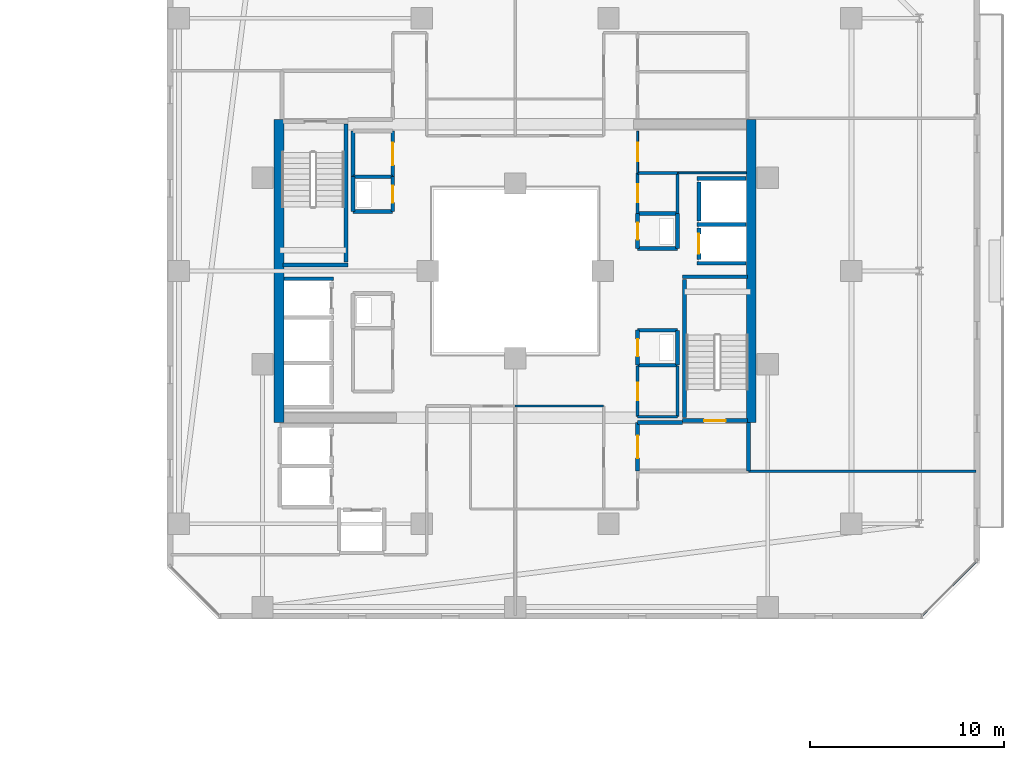
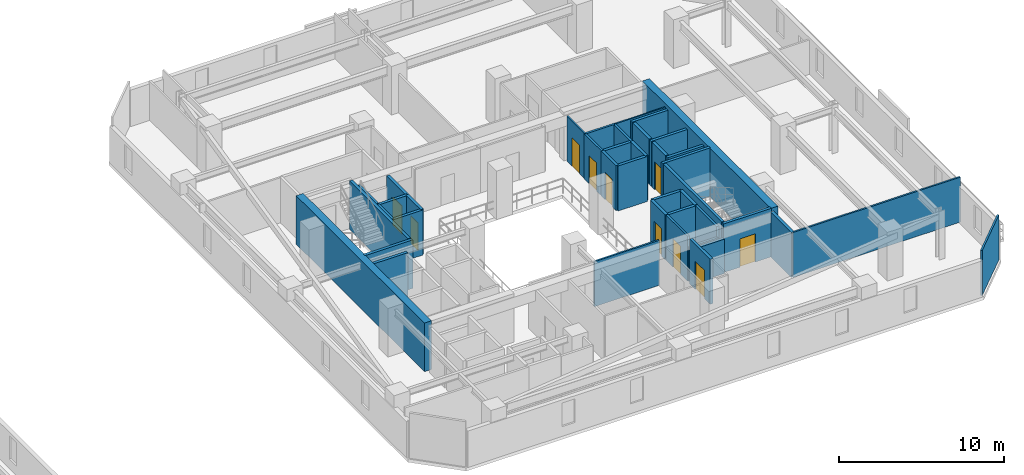
# One storey, part 24 of 33: 41 walls, 10 doors, 10 openings.
"""IFC4 building model written with IfcOpenShell, lengths in metres."""

from ifc_helpers import new_model, si_unit, direction, frame, frame_2d, origin, place, context, subcontext, project, spatial, rectangle, extrude, material, layer, layer_set, type_object, element, fill, save


model = new_model("IFC4")

# Units and contexts
model_context = context("Model", 3, precision=1e-05, world=origin(), true_north=direction((0.0, 1.0)))
body_context = subcontext(model_context, "Body", "Model", "MODEL_VIEW")
ifc_project = project(units=[si_unit("LENGTHUNIT", "METRE"), si_unit("AREAUNIT", "SQUARE_METRE"), si_unit("VOLUMEUNIT", "CUBIC_METRE"), si_unit("PLANEANGLEUNIT", "RADIAN"), si_unit("MASSUNIT", "GRAM", prefix="KILO")], contexts=[model_context])

# Site, building, storey
site_placement = place(None, origin())
site = spatial("IfcSite", under=ifc_project, at=site_placement, CompositionType="ELEMENT")
building_placement = place(site_placement, origin())
building = spatial("IfcBuilding", under=site, at=building_placement, Name="Thornwick Lancets Civic Towers", CompositionType="ELEMENT")
storey_placement = place(building_placement, frame((0.0, 0.0, 167.10009765625)))
storey = spatial("IfcBuildingStorey", under=building, at=storey_placement, Name="L44", CompositionType="ELEMENT", Elevation=167.10009765625)

# Wall, opening, door
ifc_material_1 = material(Name="Concrete blockwork C40/50", Category="masonry")
ifc_layer_1 = layer(ifc_material_1, 0.199951171875, Name="Concrete blockwork C40/50")
ifc_layer_set_1 = layer_set([ifc_layer_1], Name="Concrete blockwork C40/50")
wall_type_1 = type_object("IfcWallType", Name="WALL_COMP_200", PredefinedType="STANDARD", material=ifc_layer_set_1)
wall_1_placement = place(storey_placement, frame((97.949951171875, 29.219970703125, 0.0), z_axis=(0.0, 0.0, 1.0), x_axis=(0.0, -1.0, 0.0)))
wall_1 = element("IfcWall", 1, at=wall_1_placement, inside=storey, type_object=wall_type_1, Name="L44 Hoistway Front Wall FL-B1", PredefinedType="STANDARD", context=body_context, shape_type="SweptSolid", body=[
    extrude(rectangle(XDim=1.639892578125, YDim=0.199951171875, at=frame_2d((0.81982421875, 0.0))), origin(), (0.0, 0.0, 1.0), 3.33984375),
])
opening_1_placement = place(wall_1_placement, frame((0.31005859375, 0.0, 0.0)))
opening_1 = element("IfcOpeningElement", 2, at=opening_1_placement, cuts=wall_1, Name="Opening LD-FL-B1", PredefinedType="OPENING", context=body_context, shape_type="SweptSolid", body=[
    extrude(rectangle(XDim=1.02001953125, YDim=2.06005859375, at=frame_2d((0.510009765625, 1.030029296875))), frame((0.0, 0.10986328125, 0.0), z_axis=(0.0, -1.0, 0.0), x_axis=(1.0, 0.0, 0.0)), (0.0, 0.0, 1.0), 0.219970703125),
])
ifc_material_2 = material(Name="Brushed bronze stainless steel", Category="steel")
door_type_1 = type_object("IfcDoorType", Name="DOOR_LIFT_SLIDE", OperationType="SLIDING_TO_LEFT", PredefinedType="DOOR", material=ifc_material_2)
door_1_placement = place(opening_1_placement, origin())
door_1 = element("IfcDoor", 3, at=door_1_placement, inside=storey, type_object=door_type_1, Name="L44 Sliding Lift Landing Door LD-FL-B1", OperationType="SLIDING_TO_LEFT", OverallHeight=2.06005859375, OverallWidth=1.02001953125, PredefinedType="DOOR", context=body_context, shape_type="SweptSolid", body=[
    extrude(rectangle(XDim=1.02001953125, YDim=2.06005859375, at=frame_2d((0.510009765625, 1.030029296875))), frame((0.0, 0.02490234375, 0.0), z_axis=(0.0, -1.0, 0.0), x_axis=(1.0, 0.0, 0.0)), (0.0, 0.0, 1.0), 0.050048828125),
])
fill(opening_1, door_1)

# Walls
wall_2_placement = place(storey_placement, frame((97.949951171875, 31.570068359375, 0.0), z_axis=(0.0, 0.0, 1.0), x_axis=(0.0, -1.0, 0.0)))
element("IfcWall", 4, at=wall_2_placement, inside=storey, type_object=wall_type_1, Name="L44 Hoistway Front Wall PL-BH1", PredefinedType="STANDARD", context=body_context, shape_type="SweptSolid", body=[
    extrude(rectangle(XDim=1.989990234375, YDim=0.199951171875, at=frame_2d((0.9951171875, 0.0))), origin(), (0.0, 0.0, 1.0), 3.33984375),
])
for number, where, z_axis, x_axis, name in (
    (5, (97.85205078125, 29.39990234375, 0.0), (0.0, 0.0, 1.0), (1.0, 0.0, 0.0), "L44 Hoistway Shaft Wall FL-B1 N"),
    (6, (97.85205078125, 27.39990234375, 0.0), (0.0, 0.0, 1.0), (1.0, 0.0, 0.0), "L44 Hoistway Shaft Wall FL-B1 S"),
    (7, (97.85205078125, 31.75, 0.0), (0.0, 0.0, 1.0), (1.0, 0.0, 0.0), "L44 Hoistway Shaft Wall PL-BH1 N"),
    (8, (76.612060546875, 26.60009765625, 0.0), (0.0, 0.0, 1.0), (1.0, 0.0, 0.0), "L44 Hoistway Shaft Wall FL-B2 N"),
):
    element("IfcWall", number, at=place(storey_placement, frame(where, z_axis=z_axis, x_axis=x_axis)), inside=storey, type_object=wall_type_1, Name=name, PredefinedType="STANDARD", context=body_context, shape_type="SweptSolid", body=[
        extrude(rectangle(XDim=2.535888671875, YDim=0.199951171875, at=frame_2d((1.26806640625, 0.0))), origin(), (0.0, 0.0, 1.0), 3.33984375),
    ])
wall_3_placement = place(storey_placement, frame((100.5, 16.699951171875, 0.0), z_axis=(0.0, 0.0, 1.0), x_axis=(0.0, 1.0, 0.0)))
element("IfcWall", 9, at=wall_3_placement, inside=storey, type_object=wall_type_1, Name="L44 Partition L44-B-FFLOB1 E2", PredefinedType="STANDARD", context=body_context, shape_type="SweptSolid", body=[
    extrude(rectangle(XDim=2.5, YDim=0.199951171875, at=frame_2d((1.25, 0.0))), origin(), (0.0, 0.0, 1.0), 3.33984375),
])
wall_4_placement = place(storey_placement, frame((97.10009765625, 19.199951171875, 0.0), z_axis=(0.0, 0.0, 1.0), x_axis=(-1.0, 0.0, 0.0)))
element("IfcWall", 10, at=wall_4_placement, inside=storey, type_object=wall_type_1, Name="L44 Partition L44-B-FFLOB1 E3", PredefinedType="STANDARD", context=body_context, shape_type="SweptSolid", body=[
    extrude(rectangle(XDim=2.300048828125, YDim=0.199951171875, at=frame_2d((1.14990234375, 0.0))), origin(), (0.0, 0.0, 1.0), 2.544921875),
])

# Wall, opening, door
wall_5_placement = place(storey_placement, frame((94.800048828125, 19.199951171875, 0.0), z_axis=(0.0, 0.0, 1.0), x_axis=(0.0, -1.0, 0.0)))
wall_5 = element("IfcWall", 11, at=wall_5_placement, inside=storey, type_object=wall_type_1, Name="L44 Partition L44-B-FFLOB1 E4", PredefinedType="STANDARD", context=body_context, shape_type="SweptSolid", body=[
    extrude(rectangle(XDim=2.5, YDim=0.199951171875, at=frame_2d((1.25, 0.0))), origin(), (0.0, 0.0, 1.0), 3.33984375),
])
opening_2_placement = place(wall_5_placement, frame((0.675048828125, 0.0, 0.0)))
opening_2 = element("IfcOpeningElement", 12, at=opening_2_placement, cuts=wall_5, Name="Opening D-L44-1968", PredefinedType="OPENING", context=body_context, shape_type="SweptSolid", body=[
    extrude(rectangle(XDim=1.14990234375, YDim=2.10009765625, at=frame_2d((0.574951171875, 1.050048828125))), frame((0.0, 0.10986328125, 0.0), z_axis=(0.0, -1.0, 0.0), x_axis=(1.0, 0.0, 0.0)), (0.0, 0.0, 1.0), 0.219970703125),
])
ifc_material_3 = material(Name="Glazed fire-resisting steel", Category="steel")
door_type_2 = type_object("IfcDoorType", Name="DOOR_LOBBY_FD60", OperationType="NOTDEFINED", PredefinedType="DOOR", material=ifc_material_3)
door_2_placement = place(opening_2_placement, origin())
door_2 = element("IfcDoor", 13, at=door_2_placement, inside=storey, type_object=door_type_2, Name="L44 East Firefighting Lobby 1 Door", OperationType="SINGLE_SWING_LEFT", OverallHeight=2.10009765625, OverallWidth=1.14990234375, PredefinedType="DOOR", context=body_context, shape_type="SweptSolid", body=[
    extrude(rectangle(XDim=1.14990234375, YDim=2.10009765625, at=frame_2d((0.574951171875, 1.050048828125))), frame((0.0, 0.02490234375, 0.0), z_axis=(0.0, -1.0, 0.0), x_axis=(1.0, 0.0, 0.0)), (0.0, 0.0, 1.0), 0.050048828125),
])
fill(opening_2, door_2)

# Walls
wall_6_placement = place(storey_placement, frame((94.800048828125, 28.14990234375, 0.0), z_axis=(0.0, 0.0, 1.0), x_axis=(1.0, 0.0, 0.0)))
element("IfcWall", 14, at=wall_6_placement, inside=storey, type_object=wall_type_1, Name="L44 Partition L44-B-DUCT1 E1", PredefinedType="STANDARD", context=body_context, shape_type="SweptSolid", body=[
    extrude(rectangle(XDim=2.050048828125, YDim=0.199951171875, at=frame_2d((1.02490234375, 0.0))), origin(), (0.0, 0.0, 1.0), 3.33984375),
])
wall_7_placement = place(storey_placement, frame((96.85009765625, 28.14990234375, 0.0), z_axis=(0.0, 0.0, 1.0), x_axis=(0.0, 1.0, 0.0)))
element("IfcWall", 15, at=wall_7_placement, inside=storey, type_object=wall_type_1, Name="L44 Partition L44-B-DUCT1 E2", PredefinedType="STANDARD", context=body_context, shape_type="SweptSolid", body=[
    extrude(rectangle(XDim=1.800048828125, YDim=0.199951171875, at=frame_2d((0.89990234375, 0.0))), origin(), (0.0, 0.0, 1.0), 3.33984375),
])
wall_8_placement = place(storey_placement, frame((96.85009765625, 29.949951171875, 0.0), z_axis=(0.0, 0.0, 1.0), x_axis=(-1.0, 0.0, 0.0)))
element("IfcWall", 16, at=wall_8_placement, inside=storey, type_object=wall_type_1, Name="L44 Partition L44-B-DUCT1 E3", PredefinedType="STANDARD", context=body_context, shape_type="SweptSolid", body=[
    extrude(rectangle(XDim=2.050048828125, YDim=0.199951171875, at=frame_2d((1.02490234375, 0.0))), origin(), (0.0, 0.0, 1.0), 3.33984375),
])

# Wall, opening, door
wall_9_placement = place(storey_placement, frame((94.800048828125, 29.949951171875, 0.0), z_axis=(0.0, 0.0, 1.0), x_axis=(0.0, -1.0, 0.0)))
wall_9 = element("IfcWall", 17, at=wall_9_placement, inside=storey, type_object=wall_type_1, Name="L44 Partition L44-B-DUCT1 E4", PredefinedType="STANDARD", context=body_context, shape_type="SweptSolid", body=[
    extrude(rectangle(XDim=1.800048828125, YDim=0.199951171875, at=frame_2d((0.89990234375, 0.0))), origin(), (0.0, 0.0, 1.0), 3.33984375),
])
opening_3_placement = place(wall_9_placement, frame((0.4599609375, 0.0, 0.0)))
opening_3 = element("IfcOpeningElement", 18, at=opening_3_placement, cuts=wall_9, Name="Opening D-L44-1970", PredefinedType="OPENING", context=body_context, shape_type="SweptSolid", body=[
    extrude(rectangle(XDim=0.8798828125, YDim=2.0400390625, at=frame_2d((0.43994140625, 1.02001953125))), frame((0.0, 0.10986328125, 0.0), z_axis=(0.0, -1.0, 0.0), x_axis=(1.0, 0.0, 0.0)), (0.0, 0.0, 1.0), 0.219970703125),
])
ifc_material_4 = material(Name="Steel riser access doorset", Category="steel")
door_type_3 = type_object("IfcDoorType", Name="DOOR_RISER_850", OperationType="NOTDEFINED", PredefinedType="DOOR", material=ifc_material_4)
door_3_placement = place(opening_3_placement, origin())
door_3 = element("IfcDoor", 19, at=door_3_placement, inside=storey, type_object=door_type_3, Name="L44 East Service Duct 1 Door", OperationType="SINGLE_SWING_LEFT", OverallHeight=2.0400390625, OverallWidth=0.8798828125, PredefinedType="DOOR", context=body_context, shape_type="SweptSolid", body=[
    extrude(rectangle(XDim=0.8798828125, YDim=2.0400390625, at=frame_2d((0.43994140625, 1.02001953125))), frame((0.0, 0.02490234375, 0.0), z_axis=(0.0, -1.0, 0.0), x_axis=(1.0, 0.0, 0.0)), (0.0, 0.0, 1.0), 0.050048828125),
])
fill(opening_3, door_3)

# Walls
wall_10_placement = place(storey_placement, frame((94.800048828125, 22.14990234375, 0.0), z_axis=(0.0, 0.0, 1.0), x_axis=(1.0, 0.0, 0.0)))
element("IfcWall", 20, at=wall_10_placement, inside=storey, type_object=wall_type_1, Name="L44 Partition L44-B-RISER1 E1", PredefinedType="STANDARD", context=body_context, shape_type="SweptSolid", body=[
    extrude(rectangle(XDim=2.050048828125, YDim=0.199951171875, at=frame_2d((1.02490234375, 0.0))), origin(), (0.0, 0.0, 1.0), 3.33984375),
])
wall_11_placement = place(storey_placement, frame((96.85009765625, 22.14990234375, 0.0), z_axis=(0.0, 0.0, 1.0), x_axis=(0.0, 1.0, 0.0)))
element("IfcWall", 21, at=wall_11_placement, inside=storey, type_object=wall_type_1, Name="L44 Partition L44-B-RISER1 E2", PredefinedType="STANDARD", context=body_context, shape_type="SweptSolid", body=[
    extrude(rectangle(XDim=1.800048828125, YDim=0.199951171875, at=frame_2d((0.89990234375, 0.0))), origin(), (0.0, 0.0, 1.0), 3.33984375),
])
wall_12_placement = place(storey_placement, frame((96.85009765625, 23.949951171875, 0.0), z_axis=(0.0, 0.0, 1.0), x_axis=(-1.0, 0.0, 0.0)))
element("IfcWall", 22, at=wall_12_placement, inside=storey, type_object=wall_type_1, Name="L44 Partition L44-B-RISER1 E3", PredefinedType="STANDARD", context=body_context, shape_type="SweptSolid", body=[
    extrude(rectangle(XDim=2.050048828125, YDim=0.199951171875, at=frame_2d((1.02490234375, 0.0))), origin(), (0.0, 0.0, 1.0), 3.33984375),
])

# Wall, opening, door
wall_13_placement = place(storey_placement, frame((94.800048828125, 23.949951171875, 0.0), z_axis=(0.0, 0.0, 1.0), x_axis=(0.0, -1.0, 0.0)))
wall_13 = element("IfcWall", 23, at=wall_13_placement, inside=storey, type_object=wall_type_1, Name="L44 Partition L44-B-RISER1 E4", PredefinedType="STANDARD", context=body_context, shape_type="SweptSolid", body=[
    extrude(rectangle(XDim=1.800048828125, YDim=0.199951171875, at=frame_2d((0.89990234375, 0.0))), origin(), (0.0, 0.0, 1.0), 3.33984375),
])
opening_4_placement = place(wall_13_placement, frame((0.4599609375, 0.0, 0.0)))
opening_4 = element("IfcOpeningElement", 24, at=opening_4_placement, cuts=wall_13, Name="Opening D-L44-1971", PredefinedType="OPENING", context=body_context, shape_type="SweptSolid", body=[
    extrude(rectangle(XDim=0.8798828125, YDim=2.0400390625, at=frame_2d((0.43994140625, 1.02001953125))), frame((0.0, 0.10986328125, 0.0), z_axis=(0.0, -1.0, 0.0), x_axis=(1.0, 0.0, 0.0)), (0.0, 0.0, 1.0), 0.219970703125),
])
door_4_placement = place(opening_4_placement, origin())
door_4 = element("IfcDoor", 25, at=door_4_placement, inside=storey, type_object=door_type_3, Name="L44 East Electrical Riser 1 Door", OperationType="SINGLE_SWING_RIGHT", OverallHeight=2.0400390625, OverallWidth=0.8798828125, PredefinedType="DOOR", context=body_context, shape_type="SweptSolid", body=[
    extrude(rectangle(XDim=0.8798828125, YDim=2.0400390625, at=frame_2d((0.43994140625, 1.02001953125))), frame((0.0, 0.02490234375, 0.0), z_axis=(0.0, -1.0, 0.0), x_axis=(1.0, 0.0, 0.0)), (0.0, 0.0, 1.0), 0.050048828125),
])
fill(opening_4, door_4)

# Wall
wall_14_placement = place(storey_placement, frame((80.14990234375, 30.050048828125, 0.0), z_axis=(0.0, 0.0, 1.0), x_axis=(1.0, 0.0, 0.0)))
element("IfcWall", 26, at=wall_14_placement, inside=storey, type_object=wall_type_1, Name="L44 Partition L44-B-RISER2 E1", PredefinedType="STANDARD", context=body_context, shape_type="SweptSolid", body=[
    extrude(rectangle(XDim=2.050048828125, YDim=0.199951171875, at=frame_2d((1.02490234375, 0.0))), origin(), (0.0, 0.0, 1.0), 3.33984375),
])

# Wall, opening, door
wall_15_placement = place(storey_placement, frame((82.199951171875, 30.050048828125, 0.0), z_axis=(0.0, 0.0, 1.0), x_axis=(0.0, 1.0, 0.0)))
wall_15 = element("IfcWall", 27, at=wall_15_placement, inside=storey, type_object=wall_type_1, Name="L44 Partition L44-B-RISER2 E2", PredefinedType="STANDARD", context=body_context, shape_type="SweptSolid", body=[
    extrude(rectangle(XDim=1.800048828125, YDim=0.199951171875, at=frame_2d((0.89990234375, 0.0))), origin(), (0.0, 0.0, 1.0), 3.33984375),
])
opening_5_placement = place(wall_15_placement, frame((0.4599609375, 0.0, 0.0)))
opening_5 = element("IfcOpeningElement", 28, at=opening_5_placement, cuts=wall_15, Name="Opening D-L44-1973", PredefinedType="OPENING", context=body_context, shape_type="SweptSolid", body=[
    extrude(rectangle(XDim=0.8798828125, YDim=2.0400390625, at=frame_2d((0.43994140625, 1.02001953125))), frame((0.0, 0.10986328125, 0.0), z_axis=(0.0, -1.0, 0.0), x_axis=(1.0, 0.0, 0.0)), (0.0, 0.0, 1.0), 0.219970703125),
])
door_5_placement = place(opening_5_placement, origin())
door_5 = element("IfcDoor", 29, at=door_5_placement, inside=storey, type_object=door_type_3, Name="L44 West Service Riser 2 Door", OperationType="SINGLE_SWING_RIGHT", OverallHeight=2.0400390625, OverallWidth=0.8798828125, PredefinedType="DOOR", context=body_context, shape_type="SweptSolid", body=[
    extrude(rectangle(XDim=0.8798828125, YDim=2.0400390625, at=frame_2d((0.43994140625, 1.02001953125))), frame((0.0, 0.02490234375, 0.0), z_axis=(0.0, -1.0, 0.0), x_axis=(1.0, 0.0, 0.0)), (0.0, 0.0, 1.0), 0.050048828125),
])
fill(opening_5, door_5)

# Walls
wall_16_placement = place(storey_placement, frame((82.199951171875, 31.85009765625, 0.0), z_axis=(0.0, 0.0, 1.0), x_axis=(-1.0, 0.0, 0.0)))
element("IfcWall", 30, at=wall_16_placement, inside=storey, type_object=wall_type_1, Name="L44 Partition L44-B-RISER2 E3", PredefinedType="STANDARD", context=body_context, shape_type="SweptSolid", body=[
    extrude(rectangle(XDim=2.050048828125, YDim=0.199951171875, at=frame_2d((1.02490234375, 0.0))), origin(), (0.0, 0.0, 1.0), 3.33984375),
])
wall_17_placement = place(storey_placement, frame((80.14990234375, 31.85009765625, 0.0), z_axis=(0.0, 0.0, 1.0), x_axis=(0.0, -1.0, 0.0)))
element("IfcWall", 31, at=wall_17_placement, inside=storey, type_object=wall_type_1, Name="L44 Partition L44-B-RISER2 E4", PredefinedType="STANDARD", context=body_context, shape_type="SweptSolid", body=[
    extrude(rectangle(XDim=1.800048828125, YDim=0.199951171875, at=frame_2d((0.89990234375, 0.0))), origin(), (0.0, 0.0, 1.0), 3.33984375),
])
wall_18_placement = place(storey_placement, frame((80.14990234375, 31.85009765625, 0.0), z_axis=(0.0, 0.0, 1.0), x_axis=(0.0, 1.0, 0.0)))
element("IfcWall", 32, at=wall_18_placement, inside=storey, type_object=wall_type_1, Name="L44 Partition L44-B-STR E1", PredefinedType="STANDARD", context=body_context, shape_type="SweptSolid", body=[
    extrude(rectangle(XDim=2.349853515625, YDim=0.199951171875, at=frame_2d((1.1748046875, 0.0))), origin(), (0.0, 0.0, 1.0), 3.33984375),
])

# Wall, opening, door
wall_19_placement = place(storey_placement, frame((82.199951171875, 34.199951171875, 0.0), z_axis=(0.0, 0.0, 1.0), x_axis=(0.0, -1.0, 0.0)))
wall_19 = element("IfcWall", 33, at=wall_19_placement, inside=storey, type_object=wall_type_1, Name="L44 Partition L44-B-STR E3", PredefinedType="STANDARD", context=body_context, shape_type="SweptSolid", body=[
    extrude(rectangle(XDim=2.349853515625, YDim=0.199951171875, at=frame_2d((1.1748046875, 0.0))), origin(), (0.0, 0.0, 1.0), 3.33984375),
])
opening_6_placement = place(wall_19_placement, frame((0.60009765625, 0.0, 0.0)))
opening_6 = element("IfcOpeningElement", 34, at=opening_6_placement, cuts=wall_19, Name="Opening D-L44-1978", PredefinedType="OPENING", context=body_context, shape_type="SweptSolid", body=[
    extrude(rectangle(XDim=1.14990234375, YDim=2.10009765625, at=frame_2d((0.574951171875, 1.050048828125))), frame((0.0, 0.10986328125, 0.0), z_axis=(0.0, -1.0, 0.0), x_axis=(1.0, 0.0, 0.0)), (0.0, 0.0, 1.0), 0.219970703125),
])
door_6_placement = place(opening_6_placement, origin())
door_6 = element("IfcDoor", 35, at=door_6_placement, inside=storey, type_object=door_type_2, Name="L44 Tower B Core Equipment Store Door", OperationType="SINGLE_SWING_LEFT", OverallHeight=2.10009765625, OverallWidth=1.14990234375, PredefinedType="DOOR", context=body_context, shape_type="SweptSolid", body=[
    extrude(rectangle(XDim=1.14990234375, YDim=2.10009765625, at=frame_2d((0.574951171875, 1.050048828125))), frame((0.0, 0.02490234375, 0.0), z_axis=(0.0, -1.0, 0.0), x_axis=(1.0, 0.0, 0.0)), (0.0, 0.0, 1.0), 0.050048828125),
])
fill(opening_6, door_6)

# Walls
ifc_material_5 = material(Name="Concrete C50/60", Category="concrete")
ifc_layer_2 = layer(ifc_material_5, 0.5, Name="Concrete C50/60")
ifc_layer_set_2 = layer_set([ifc_layer_2], Name="Concrete C50/60")
wall_type_2 = type_object("IfcWallType", Name="WALL_CORE_500", PredefinedType="SHEAR", material=ifc_layer_set_2)
for number, where, z_axis, x_axis, name in (
    (36, (100.64990234375, 19.199951171875, 0.0), (0.0, 0.0, 1.0), (0.0, 1.0, 0.0), "L44 Split Core B1 Shear Wall E"),
    (37, (76.35009765625, 19.199951171875, 0.0), (0.0, 0.0, 1.0), (0.0, 1.0, 0.0), "L44 Split Core B2 Shear Wall W"),
):
    element("IfcWall", number, at=place(storey_placement, frame(where, z_axis=z_axis, x_axis=x_axis)), inside=storey, type_object=wall_type_2, Name=name, PredefinedType="SHEAR", context=body_context, shape_type="SweptSolid", body=[
        extrude(rectangle(XDim=15.60009765625, YDim=0.5, at=frame_2d((7.800048828125, 0.0))), origin(), (0.0, 0.0, 1.0), 3.599853515625),
    ])

# Wall, opening, door
ifc_material_6 = material(Name="Lightweight cellular office partition")
ifc_layer_3 = layer(ifc_material_6, 0.10009765625, Name="Lightweight cellular office partition")
ifc_layer_set_3 = layer_set([ifc_layer_3], Name="Lightweight cellular office partition")
wall_type_3 = type_object("IfcWallType", Name="WALL_PART_100", PredefinedType="PARTITIONING", material=ifc_layer_set_3)
wall_20_placement = place(storey_placement, frame((94.800048828125, 32.050048828125, 0.0), z_axis=(0.0, 0.0, 1.0), x_axis=(0.0, 1.0, 0.0)))
wall_20 = element("IfcWall", 38, at=wall_20_placement, inside=storey, type_object=wall_type_3, Name="L44 Partition L44-B-CLN E1", PredefinedType="PARTITIONING", context=body_context, shape_type="SweptSolid", body=[
    extrude(rectangle(XDim=2.14990234375, YDim=0.10009765625, at=frame_2d((1.074951171875, 0.0))), origin(), (0.0, 0.0, 1.0), 3.33984375),
])
opening_7_placement = place(wall_20_placement, frame((0.60009765625, 0.0, 0.0)))
opening_7 = element("IfcOpeningElement", 39, at=opening_7_placement, cuts=wall_20, Name="Opening D-L44-1976", PredefinedType="OPENING", context=body_context, shape_type="SweptSolid", body=[
    extrude(rectangle(XDim=0.949951171875, YDim=2.10009765625, at=frame_2d((0.47509765625, 1.050048828125))), frame((0.0, 0.06005859375, 0.0), z_axis=(0.0, -1.0, 0.0), x_axis=(1.0, 0.0, 0.0)), (0.0, 0.0, 1.0), 0.1201171875),
])
ifc_material_7 = material(Name="European oak acoustic doorset")
door_type_4 = type_object("IfcDoorType", Name="DOOR_OFFICE_950", OperationType="NOTDEFINED", PredefinedType="DOOR", material=ifc_material_7)
door_7_placement = place(opening_7_placement, origin())
door_7 = element("IfcDoor", 40, at=door_7_placement, inside=storey, type_object=door_type_4, Name="L44 Tower B Cleaners Store Door", OperationType="SINGLE_SWING_LEFT", OverallHeight=2.10009765625, OverallWidth=0.949951171875, PredefinedType="DOOR", context=body_context, shape_type="SweptSolid", body=[
    extrude(rectangle(XDim=0.949951171875, YDim=2.10009765625, at=frame_2d((0.47509765625, 1.050048828125))), frame((0.0, 0.02490234375, 0.0), z_axis=(0.0, -1.0, 0.0), x_axis=(1.0, 0.0, 0.0)), (0.0, 0.0, 1.0), 0.050048828125),
])
fill(opening_7, door_7)

# Walls
wall_21_placement = place(storey_placement, frame((100.39990234375, 32.050048828125, 0.0), z_axis=(0.0, 0.0, 1.0), x_axis=(-1.0, 0.0, 0.0)))
element("IfcWall", 41, at=wall_21_placement, inside=storey, type_object=wall_type_3, Name="L44 Partition L44-B-CLN E4", PredefinedType="PARTITIONING", context=body_context, shape_type="SweptSolid", body=[
    extrude(rectangle(XDim=3.5498046875, YDim=0.10009765625, at=frame_2d((1.77490234375, 0.0))), origin(), (0.0, 0.0, 1.0), 3.33984375),
])
ifc_material_8 = material(Name="Acoustic gypsum board partition")
ifc_layer_4 = layer(ifc_material_8, 0.1201171875, Name="Acoustic gypsum board partition")
ifc_layer_set_4 = layer_set([ifc_layer_4], Name="Acoustic gypsum board partition")
wall_type_4 = type_object("IfcWallType", Name="WALL_PART_120", PredefinedType="PARTITIONING", material=ifc_layer_set_4)
wall_22_placement = place(storey_placement, frame((100.5, 16.699951171875, 0.0), z_axis=(0.0, 0.0, 1.0), x_axis=(1.0, 0.0, 0.0)))
element("IfcWall", 42, at=wall_22_placement, inside=storey, type_object=wall_type_4, Name="L44 Partition L44-B-W1 E7", PredefinedType="PARTITIONING", context=body_context, shape_type="SweptSolid", body=[
    extrude(rectangle(XDim=11.719970703125, YDim=0.1201171875, at=frame_2d((5.85986328125, 0.0))), origin(), (0.0, 0.0, 1.0), 3.33984375),
])
wall_23_placement = place(storey_placement, frame((112.219970703125, 12.051513671875, 0.0), z_axis=(0.0, 0.0, 1.0), x_axis=(-0.707106781187, -0.707106781187, 0.0)))
element("IfcWall", 43, at=wall_23_placement, inside=storey, type_object=wall_type_4, Name="L44 Partition L44-B-W1 E9", PredefinedType="PARTITIONING", context=body_context, shape_type="SweptSolid", body=[
    extrude(rectangle(XDim=3.91943359375, YDim=0.1201171875, at=frame_2d((1.959716796875, 0.0))), origin(), (0.0, 0.0, 1.0), 3.33984375),
])
wall_24_placement = place(storey_placement, frame((88.5, 20.050048828125, 0.0), z_axis=(0.0, 0.0, 1.0), x_axis=(1.0, 0.0, 0.0)))
element("IfcWall", 44, at=wall_24_placement, inside=storey, type_object=wall_type_4, Name="L44 Partition L44-B-W2 E2", PredefinedType="PARTITIONING", context=body_context, shape_type="SweptSolid", body=[
    extrude(rectangle(XDim=4.550048828125, YDim=0.1201171875, at=frame_2d((2.27490234375, 0.0))), origin(), (0.0, 0.0, 1.0), 3.33984375),
])
ifc_material_9 = material(Name="Twin-stud acoustic gypsum board")
ifc_layer_5 = layer(ifc_material_9, 0.14990234375, Name="Twin-stud acoustic gypsum board")
ifc_layer_set_5 = layer_set([ifc_layer_5], Name="Twin-stud acoustic gypsum board")
wall_type_5 = type_object("IfcWallType", Name="WALL_PART_150", PredefinedType="PARTITIONING", material=ifc_layer_set_5)
wall_25_placement = place(storey_placement, frame((94.800048828125, 19.5, 0.0), z_axis=(0.0, 0.0, 1.0), x_axis=(1.0, 0.0, 0.0)))
element("IfcWall", 45, at=wall_25_placement, inside=storey, type_object=wall_type_5, Name="L44 Partition L44-B-AWC E1", PredefinedType="PARTITIONING", context=body_context, shape_type="SweptSolid", body=[
    extrude(rectangle(XDim=2.050048828125, YDim=0.14990234375, at=frame_2d((1.02490234375, 0.0))), origin(), (0.0, 0.0, 1.0), 2.544921875),
])
wall_26_placement = place(storey_placement, frame((96.85009765625, 19.5, 0.0), z_axis=(0.0, 0.0, 1.0), x_axis=(0.0, 1.0, 0.0)))
element("IfcWall", 46, at=wall_26_placement, inside=storey, type_object=wall_type_5, Name="L44 Partition L44-B-AWC E2", PredefinedType="PARTITIONING", context=body_context, shape_type="SweptSolid", body=[
    extrude(rectangle(XDim=2.60009765625, YDim=0.14990234375, at=frame_2d((1.300048828125, 0.0))), origin(), (0.0, 0.0, 1.0), 3.33984375),
])

# Wall, opening, door
wall_27_placement = place(storey_placement, frame((94.800048828125, 22.10009765625, 0.0), z_axis=(0.0, 0.0, 1.0), x_axis=(0.0, -1.0, 0.0)))
wall_27 = element("IfcWall", 47, at=wall_27_placement, inside=storey, type_object=wall_type_5, Name="L44 Partition L44-B-AWC E4", PredefinedType="PARTITIONING", context=body_context, shape_type="SweptSolid", body=[
    extrude(rectangle(XDim=2.60009765625, YDim=0.14990234375, at=frame_2d((1.300048828125, 0.0))), origin(), (0.0, 0.0, 1.0), 3.33984375),
])
opening_8_placement = place(wall_27_placement, frame((0.840087890625, 0.0, 0.0)))
opening_8 = element("IfcOpeningElement", 48, at=opening_8_placement, cuts=wall_27, Name="Opening D-L44-1974", PredefinedType="OPENING", context=body_context, shape_type="SweptSolid", body=[
    extrude(rectangle(XDim=0.919921875, YDim=2.080078125, at=frame_2d((0.4599609375, 1.0400390625))), frame((0.0, 0.0849609375, 0.0), z_axis=(0.0, -1.0, 0.0), x_axis=(1.0, 0.0, 0.0)), (0.0, 0.0, 1.0), 0.169921875),
])
ifc_material_10 = material(Name="Moisture-resistant oak doorset")
door_type_5 = type_object("IfcDoorType", Name="DOOR_WC_900", OperationType="NOTDEFINED", PredefinedType="DOOR", material=ifc_material_10)
door_8_placement = place(opening_8_placement, origin())
door_8 = element("IfcDoor", 49, at=door_8_placement, inside=storey, type_object=door_type_5, Name="L44 Tower B Accessible WC Door", OperationType="SINGLE_SWING_LEFT", OverallHeight=2.080078125, OverallWidth=0.919921875, PredefinedType="DOOR", context=body_context, shape_type="SweptSolid", body=[
    extrude(rectangle(XDim=0.919921875, YDim=2.080078125, at=frame_2d((0.4599609375, 1.0400390625))), frame((0.0, 0.02490234375, 0.0), z_axis=(0.0, -1.0, 0.0), x_axis=(1.0, 0.0, 0.0)), (0.0, 0.0, 1.0), 0.050048828125),
])
fill(opening_8, door_8)

wall_28_placement = place(storey_placement, frame((94.800048828125, 29.949951171875, 0.0), z_axis=(0.0, 0.0, 1.0), x_axis=(0.0, 1.0, 0.0)))
wall_28 = element("IfcWall", 50, at=wall_28_placement, inside=storey, type_object=wall_type_5, Name="L44 Partition L44-B-MWC E1", PredefinedType="PARTITIONING", context=body_context, shape_type="SweptSolid", body=[
    extrude(rectangle(XDim=2.10009765625, YDim=0.14990234375, at=frame_2d((1.050048828125, 0.0))), origin(), (0.0, 0.0, 1.0), 3.33984375),
])
opening_9_placement = place(wall_28_placement, frame((0.590087890625, 0.0, 0.0)))
opening_9 = element("IfcOpeningElement", 51, at=opening_9_placement, cuts=wall_28, Name="Opening D-L44-1975", PredefinedType="OPENING", context=body_context, shape_type="SweptSolid", body=[
    extrude(rectangle(XDim=0.919921875, YDim=2.080078125, at=frame_2d((0.4599609375, 1.0400390625))), frame((0.0, 0.0849609375, 0.0), z_axis=(0.0, -1.0, 0.0), x_axis=(1.0, 0.0, 0.0)), (0.0, 0.0, 1.0), 0.169921875),
])
door_9_placement = place(opening_9_placement, origin())
door_9 = element("IfcDoor", 52, at=door_9_placement, inside=storey, type_object=door_type_5, Name="L44 Tower B Male WC Door", OperationType="SINGLE_SWING_RIGHT", OverallHeight=2.080078125, OverallWidth=0.919921875, PredefinedType="DOOR", context=body_context, shape_type="SweptSolid", body=[
    extrude(rectangle(XDim=0.919921875, YDim=2.080078125, at=frame_2d((0.4599609375, 1.0400390625))), frame((0.0, 0.02490234375, 0.0), z_axis=(0.0, -1.0, 0.0), x_axis=(1.0, 0.0, 0.0)), (0.0, 0.0, 1.0), 0.050048828125),
])
fill(opening_9, door_9)

# Walls
wall_29_placement = place(storey_placement, frame((94.800048828125, 32.050048828125, 0.0), z_axis=(0.0, 0.0, 1.0), x_axis=(1.0, 0.0, 0.0)))
element("IfcWall", 53, at=wall_29_placement, inside=storey, type_object=wall_type_5, Name="L44 Partition L44-B-MWC E2", PredefinedType="PARTITIONING", context=body_context, shape_type="SweptSolid", body=[
    extrude(rectangle(XDim=2.050048828125, YDim=0.14990234375, at=frame_2d((1.02490234375, 0.0))), origin(), (0.0, 0.0, 1.0), 3.33984375),
])
wall_30_placement = place(storey_placement, frame((96.85009765625, 32.050048828125, 0.0), z_axis=(0.0, 0.0, 1.0), x_axis=(0.0, -1.0, 0.0)))
element("IfcWall", 54, at=wall_30_placement, inside=storey, type_object=wall_type_5, Name="L44 Partition L44-B-MWC E3", PredefinedType="PARTITIONING", context=body_context, shape_type="SweptSolid", body=[
    extrude(rectangle(XDim=2.10009765625, YDim=0.14990234375, at=frame_2d((1.050048828125, 0.0))), origin(), (0.0, 0.0, 1.0), 3.33984375),
])

# Wall, opening, door
ifc_material_11 = material(Name="Concrete C40/50", Category="concrete")
ifc_layer_6 = layer(ifc_material_11, 0.199951171875, Name="Concrete C40/50")
ifc_layer_set_6 = layer_set([ifc_layer_6], Name="Concrete C40/50")
wall_type_6 = type_object("IfcWallType", Name="WALL_SHAFT_200", PredefinedType="SHEAR", material=ifc_layer_set_6)
wall_31_placement = place(storey_placement, frame((100.449951171875, 19.300048828125, 0.0), z_axis=(0.0, 0.0, 1.0), x_axis=(-1.0, 0.0, 0.0)))
wall_31 = element("IfcWall", 55, at=wall_31_placement, inside=storey, type_object=wall_type_6, Name="L44 ST-B1 Fire Stair Core Wall NEAR", PredefinedType="SHEAR", context=body_context, shape_type="SweptSolid", body=[
    extrude(rectangle(XDim=3.349853515625, YDim=0.199951171875, at=frame_2d((1.6748046875, 0.0))), origin(), (0.0, 0.0, 1.0), 3.599853515625),
])
opening_10_placement = place(wall_31_placement, frame((1.125, 0.0, 0.0)))
opening_10 = element("IfcOpeningElement", 56, at=opening_10_placement, cuts=wall_31, Name="Opening D-ST-B1-L44", PredefinedType="OPENING", context=body_context, shape_type="SweptSolid", body=[
    extrude(rectangle(XDim=1.10009765625, YDim=2.10009765625, at=frame_2d((0.550048828125, 1.050048828125))), frame((0.0, 0.10986328125, 0.0), z_axis=(0.0, -1.0, 0.0), x_axis=(1.0, 0.0, 0.0)), (0.0, 0.0, 1.0), 0.219970703125),
])
ifc_material_12 = material(Name="Fire-resisting steel and hardwood", Category="steel")
door_type_6 = type_object("IfcDoorType", Name="DOOR_STAIR_FD60", OperationType="NOTDEFINED", PredefinedType="DOOR", material=ifc_material_12)
door_10_placement = place(opening_10_placement, origin())
door_10 = element("IfcDoor", 57, at=door_10_placement, inside=storey, type_object=door_type_6, Name="L44 ST-B1 Exit Stair Door", OperationType="SINGLE_SWING_RIGHT", OverallHeight=2.10009765625, OverallWidth=1.10009765625, PredefinedType="DOOR", context=body_context, shape_type="SweptSolid", body=[
    extrude(rectangle(XDim=1.10009765625, YDim=2.10009765625, at=frame_2d((0.550048828125, 1.050048828125))), frame((0.0, 0.02490234375, 0.0), z_axis=(0.0, -1.0, 0.0), x_axis=(1.0, 0.0, 0.0)), (0.0, 0.0, 1.0), 0.050048828125),
])
fill(opening_10, door_10)

# Walls
wall_32_placement = place(storey_placement, frame((97.10009765625, 26.699951171875, 0.0), z_axis=(0.0, 0.0, 1.0), x_axis=(1.0, 0.0, 0.0)))
element("IfcWall", 58, at=wall_32_placement, inside=storey, type_object=wall_type_6, Name="L44 ST-B1 Fire Stair Core Wall FAR", PredefinedType="SHEAR", context=body_context, shape_type="SweptSolid", body=[
    extrude(rectangle(XDim=3.349853515625, YDim=0.199951171875, at=frame_2d((1.6748046875, 0.0))), origin(), (0.0, 0.0, 1.0), 3.599853515625),
])
wall_33_placement = place(storey_placement, frame((97.202880859375, 26.550048828125, 0.0), z_axis=(0.0, 0.0, 1.0), x_axis=(0.0, -1.0, 0.0)))
element("IfcWall", 59, at=wall_33_placement, inside=storey, type_object=wall_type_6, Name="L44 ST-B1 Fire Stair Core Wall RIGHT", PredefinedType="SHEAR", context=body_context, shape_type="SweptSolid", body=[
    extrude(rectangle(XDim=7.10009765625, YDim=0.199951171875, at=frame_2d((3.550048828125, 0.0))), origin(), (0.0, 0.0, 1.0), 3.599853515625),
])
wall_34_placement = place(storey_placement, frame((79.89990234375, 27.300048828125, 0.0), z_axis=(0.0, 0.0, 1.0), x_axis=(-1.0, 0.0, 0.0)))
element("IfcWall", 60, at=wall_34_placement, inside=storey, type_object=wall_type_6, Name="L44 ST-B2 Fire Stair Core Wall FAR", PredefinedType="SHEAR", context=body_context, shape_type="SweptSolid", body=[
    extrude(rectangle(XDim=3.349853515625, YDim=0.199951171875, at=frame_2d((1.6748046875, 0.0))), origin(), (0.0, 0.0, 1.0), 3.599853515625),
])
wall_35_placement = place(storey_placement, frame((79.797119140625, 27.449951171875, 0.0), z_axis=(0.0, 0.0, 1.0), x_axis=(0.0, 1.0, 0.0)))
element("IfcWall", 61, at=wall_35_placement, inside=storey, type_object=wall_type_6, Name="L44 ST-B2 Fire Stair Core Wall RIGHT", PredefinedType="SHEAR", context=body_context, shape_type="SweptSolid", body=[
    extrude(rectangle(XDim=7.10009765625, YDim=0.199951171875, at=frame_2d((3.550048828125, 0.0))), origin(), (0.0, 0.0, 1.0), 3.599853515625),
])

save(model, "model.ifc")
